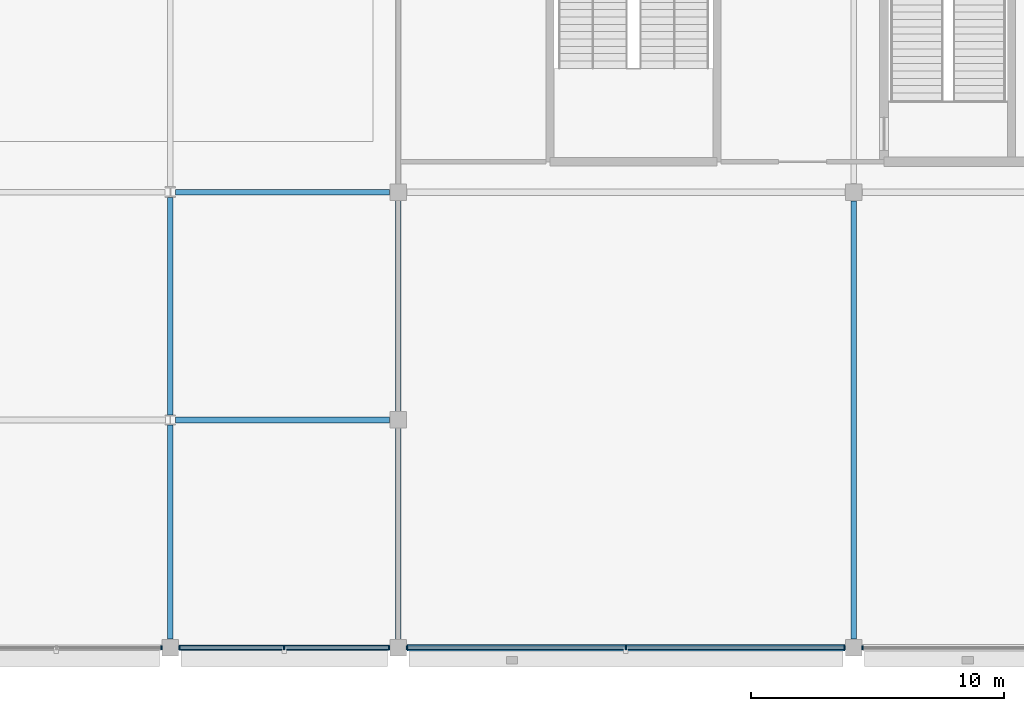
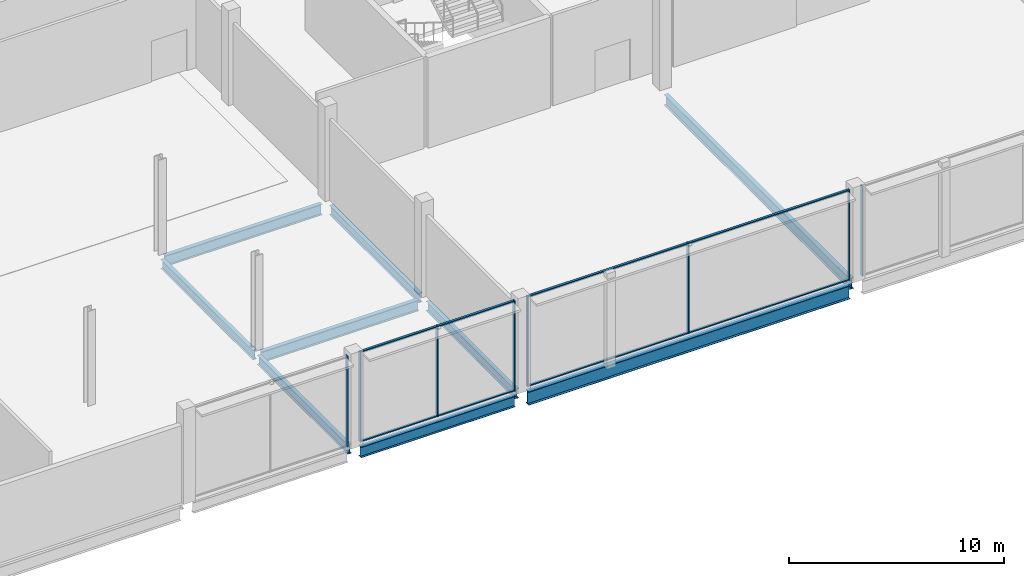
# One storey, part 15 of 113: 16 members, 9 beams, 4 elements without a shape of their own.
"""IFC4 building model written with IfcOpenShell, lengths in metres."""

from ifc_helpers import new_model, si_unit, direction, frame, origin, origin_2d, place, context, subcontext, project, spatial, rectangle, i_section, extrude, material, layer, layer_set, material_profile, profile_set, type_object, element, aggregate, save


model = new_model("IFC4")

# Units and contexts
model_context = context("Model", 3, precision=1e-05, world=origin(), true_north=direction((0.0, 1.0)))
body_context = subcontext(model_context, "Body", "Model", "MODEL_VIEW")
ifc_project = project(units=[si_unit("LENGTHUNIT", "METRE"), si_unit("AREAUNIT", "SQUARE_METRE"), si_unit("VOLUMEUNIT", "CUBIC_METRE"), si_unit("PLANEANGLEUNIT", "RADIAN"), si_unit("MASSUNIT", "GRAM", prefix="KILO")], contexts=[model_context])

# Site, building, storey
site_placement = place(None, origin())
site = spatial("IfcSite", under=ifc_project, at=site_placement, CompositionType="ELEMENT")
building_placement = place(site_placement, origin())
building = spatial("IfcBuilding", under=site, at=building_placement, Name="Kisiwana Market Hall", CompositionType="ELEMENT")
storey_placement = place(building_placement, frame((0.0, 0.0, 6.0)))
storey = spatial("IfcBuildingStorey", under=building, at=storey_placement, Name="L01", CompositionType="ELEMENT", Elevation=6.0)

# Beams
ifc_material_1 = material(Name="Steel S355", Category="steel")
ifc_material_profile_1 = material_profile(ifc_material_1, i_section(OverallWidth=0.209228515625, OverallDepth=0.533203125, WebThickness=0.010009765625, FlangeThickness=0.015625, at=origin_2d()), Name="UB 533x210x92")
ifc_profile_set_1 = profile_set([ifc_material_profile_1], Name="Steel S355")
beam_type_1 = type_object("IfcBeamType", Name="BM-GIRD-UB533", PredefinedType="BEAM", material=ifc_profile_set_1)
beam_1_placement = place(storey_placement, frame((36.0, 0.345947265625, -0.5166015625), z_axis=(0.0, 1.0, 0.0), x_axis=(-1.0, 0.0, 0.0)))
element("IfcBeam", 1, at=beam_1_placement, inside=storey, type_object=beam_type_1, Name="Primary girder B-0345", PredefinedType="BEAM", context=body_context, shape_type="SweptSolid", body=[
    extrude(i_section(OverallWidth=0.209228515625, OverallDepth=0.533203125, WebThickness=0.010009765625, FlangeThickness=0.015625, at=origin_2d()), origin(), (0.0, 0.0, 1.0), 8.454833984375),
])
beam_2_placement = place(storey_placement, frame((36.0, 9.19921875, -0.5166015625), z_axis=(0.0, 1.0, 0.0), x_axis=(-1.0, 0.0, 0.0)))
element("IfcBeam", 2, at=beam_2_placement, inside=storey, type_object=beam_type_1, Name="Primary girder B-0346", PredefinedType="BEAM", context=body_context, shape_type="SweptSolid", body=[
    extrude(i_section(OverallWidth=0.209228515625, OverallDepth=0.533203125, WebThickness=0.010009765625, FlangeThickness=0.015625, at=origin_2d()), origin(), (0.0, 0.0, 1.0), 8.58740234375),
])
for number, where, z_axis, x_axis, name in (
    (3, (45.0, 0.345947265625, -0.5166015625), (0.0, 1.0, 0.0), (-1.0, 0.0, 0.0), "Primary girder B-0353"),
    (4, (45.0, 9.345947265625, -0.5166015625), (0.0, 1.0, 0.0), (-1.0, 0.0, 0.0), "Primary girder B-0354"),
):
    element("IfcBeam", number, at=place(storey_placement, frame(where, z_axis=z_axis, x_axis=x_axis)), inside=storey, type_object=beam_type_1, Name=name, PredefinedType="BEAM", context=body_context, shape_type="SweptSolid", body=[
        extrude(i_section(OverallWidth=0.209228515625, OverallDepth=0.533203125, WebThickness=0.010009765625, FlangeThickness=0.015625, at=origin_2d()), origin(), (0.0, 0.0, 1.0), 8.30810546875),
    ])
ifc_material_2 = material(Name="Steel S355", Category="steel")
ifc_material_profile_2 = material_profile(ifc_material_2, i_section(OverallWidth=0.22900390625, OverallDepth=0.6123046875, WebThickness=0.011962890625, FlangeThickness=0.01953125, at=origin_2d()), Name="UB 610x229x125")
ifc_profile_set_2 = profile_set([ifc_material_profile_2], Name="Steel S355")
beam_type_2 = type_object("IfcBeamType", Name="BM-GIRD-UB610H", PredefinedType="BEAM", material=ifc_profile_set_2)
beam_3_placement = place(storey_placement, frame((36.345947265625, 0.0, -0.55615234375), z_axis=(1.0, 0.0, 0.0), x_axis=(0.0, 1.0, 0.0)))
element("IfcBeam", 5, at=beam_3_placement, inside=storey, type_object=beam_type_2, Name="Floor beam B-0452", PredefinedType="BEAM", context=body_context, shape_type="SweptSolid", body=[
    extrude(i_section(OverallWidth=0.22900390625, OverallDepth=0.6123046875, WebThickness=0.011962890625, FlangeThickness=0.01953125, at=origin_2d()), origin(), (0.0, 0.0, 1.0), 8.30810546875),
])
beam_4_placement = place(storey_placement, frame((36.197509765625, 9.0, -0.55615234375), z_axis=(1.0, 0.0, 0.0), x_axis=(0.0, 1.0, 0.0)))
element("IfcBeam", 6, at=beam_4_placement, inside=storey, type_object=beam_type_2, Name="Floor beam B-0466", PredefinedType="BEAM", context=body_context, shape_type="SweptSolid", body=[
    extrude(i_section(OverallWidth=0.22900390625, OverallDepth=0.6123046875, WebThickness=0.011962890625, FlangeThickness=0.01953125, at=origin_2d()), origin(), (0.0, 0.0, 1.0), 8.45654296875),
])
beam_5_placement = place(storey_placement, frame((36.201904296875, 18.0, -0.55615234375), z_axis=(1.0, 0.0, 0.0), x_axis=(0.0, 1.0, 0.0)))
element("IfcBeam", 7, at=beam_5_placement, inside=storey, type_object=beam_type_2, Name="Floor beam B-0474", PredefinedType="BEAM", context=body_context, shape_type="SweptSolid", body=[
    extrude(i_section(OverallWidth=0.22900390625, OverallDepth=0.6123046875, WebThickness=0.011962890625, FlangeThickness=0.01953125, at=origin_2d()), origin(), (0.0, 0.0, 1.0), 8.4521484375),
])
beam_6_placement = place(storey_placement, frame((63.0, 0.345947265625, -0.55615234375), z_axis=(0.0, 1.0, 0.0), x_axis=(-1.0, 0.0, 0.0)))
element("IfcBeam", 8, at=beam_6_placement, inside=storey, type_object=beam_type_2, Name="Primary girder B-0361", PredefinedType="BEAM", context=body_context, shape_type="SweptSolid", body=[
    extrude(i_section(OverallWidth=0.22900390625, OverallDepth=0.6123046875, WebThickness=0.011962890625, FlangeThickness=0.01953125, at=origin_2d()), origin(), (0.0, 0.0, 1.0), 17.30810546875),
])
ifc_material_3 = material(Name="Steel S355", Category="steel")
ifc_material_profile_3 = material_profile(ifc_material_3, i_section(OverallWidth=0.2666015625, OverallDepth=0.76220703125, WebThickness=0.014404296875, FlangeThickness=0.021484375, at=origin_2d()), Name="UB 762x267x173")
ifc_profile_set_3 = profile_set([ifc_material_profile_3], Name="Steel S355")
beam_type_3 = type_object("IfcBeamType", Name="BM-GIRD-UB762", PredefinedType="BEAM", material=ifc_profile_set_3)
beam_7_placement = place(storey_placement, frame((45.345947265625, 0.0, -0.631103515625), z_axis=(1.0, 0.0, 0.0), x_axis=(0.0, 1.0, 0.0)))
element("IfcBeam", 9, at=beam_7_placement, inside=storey, type_object=beam_type_3, Name="Floor beam B-0453", PredefinedType="BEAM", context=body_context, shape_type="SweptSolid", body=[
    extrude(i_section(OverallWidth=0.2666015625, OverallDepth=0.76220703125, WebThickness=0.014404296875, FlangeThickness=0.021484375, at=origin_2d()), origin(), (0.0, 0.0, 1.0), 17.30810546875),
])

# Curtain wall, member
ifc_material_4 = material(Name="Double-glazed solar-control low-E IGU", Category="glass")
ifc_layer = layer(ifc_material_4, 0.159912109375)
ifc_layer_set = layer_set([ifc_layer], Name="CW-FC-S-7600")
curtain_wall_type = type_object("IfcCurtainWallType", Name="CW-FC-S-7600", PredefinedType="USERDEFINED", material=ifc_layer_set)
curtain_wall_1_placement = place(storey_placement, origin())
curtain_wall_1 = element("IfcCurtainWall", 10, at=curtain_wall_1_placement, inside=storey, type_object=curtain_wall_type, Name="Unitised curtain wall CW-006 (L01)", ObjectType="UNITISED CURTAIN WALL", PredefinedType="USERDEFINED")
ifc_material_5 = material(Name="Aluminium alloy 6063-T6", Category="aluminium")
ifc_material_profile_4 = material_profile(ifc_material_5, rectangle(XDim=0.06005859375, YDim=0.159912109375, at=origin_2d()), Name="ALU MULLION 60x160")
ifc_profile_set_4 = profile_set([ifc_material_profile_4], Name="Aluminium alloy 6063-T6")
member_type_1 = type_object("IfcMemberType", Name="CW-MULL-60x160", PredefinedType="MULLION", material=ifc_profile_set_4)
member_1_placement = place(storey_placement, frame((35.64501953125, 0.0, 0.0), z_axis=(0.0, 0.0, 1.0), x_axis=(1.0, 0.0, 0.0)))
member_1 = element("IfcMember", 11, at=member_1_placement, type_object=member_type_1, Name="CW-006 mullion 3", PredefinedType="MULLION", context=body_context, shape_type="SweptSolid", body=[
    extrude(rectangle(XDim=0.06005859375, YDim=0.159912109375, at=origin_2d()), origin(), (0.0, 0.0, 1.0), 5.14990234375),
])
aggregate(curtain_wall_1, [member_1])

# Curtain wall, members
curtain_wall_2_placement = place(storey_placement, origin())
curtain_wall_2 = element("IfcCurtainWall", 12, at=curtain_wall_2_placement, inside=storey, type_object=curtain_wall_type, Name="Unitised curtain wall CW-007 (L01)", ObjectType="UNITISED CURTAIN WALL", PredefinedType="USERDEFINED")
member_2_placement = place(storey_placement, frame((36.35498046875, 0.0, 0.0), z_axis=(0.0, 0.0, 1.0), x_axis=(1.0, 0.0, 0.0)))
member_2 = element("IfcMember", 13, at=member_2_placement, type_object=member_type_1, Name="CW-007 mullion 1", PredefinedType="MULLION", context=body_context, shape_type="SweptSolid", body=[
    extrude(rectangle(XDim=0.06005859375, YDim=0.159912109375, at=origin_2d()), origin(), (0.0, 0.0, 1.0), 5.14990234375),
])
member_3_placement = place(storey_placement, frame((40.5, 0.0, 0.0), z_axis=(0.0, 0.0, 1.0), x_axis=(1.0, 0.0, 0.0)))
member_3 = element("IfcMember", 14, at=member_3_placement, type_object=member_type_1, Name="CW-007 mullion 2", PredefinedType="MULLION", context=body_context, shape_type="SweptSolid", body=[
    extrude(rectangle(XDim=0.06005859375, YDim=0.159912109375, at=origin_2d()), origin(), (0.0, 0.0, 1.0), 5.14990234375),
])
member_4_placement = place(storey_placement, frame((44.64501953125, 0.0, 0.0), z_axis=(0.0, 0.0, 1.0), x_axis=(1.0, 0.0, 0.0)))
member_4 = element("IfcMember", 15, at=member_4_placement, type_object=member_type_1, Name="CW-007 mullion 3", PredefinedType="MULLION", context=body_context, shape_type="SweptSolid", body=[
    extrude(rectangle(XDim=0.06005859375, YDim=0.159912109375, at=origin_2d()), origin(), (0.0, 0.0, 1.0), 5.14990234375),
])

curtain_wall_3_placement = place(storey_placement, origin())
curtain_wall_3 = element("IfcCurtainWall", 16, at=curtain_wall_3_placement, inside=storey, type_object=curtain_wall_type, Name="Unitised curtain wall CW-008 (L01)", ObjectType="UNITISED CURTAIN WALL", PredefinedType="USERDEFINED")
member_5_placement = place(storey_placement, frame((45.35498046875, 0.0, 0.0), z_axis=(0.0, 0.0, 1.0), x_axis=(1.0, 0.0, 0.0)))
member_5 = element("IfcMember", 17, at=member_5_placement, type_object=member_type_1, Name="CW-008 mullion 1", PredefinedType="MULLION", context=body_context, shape_type="SweptSolid", body=[
    extrude(rectangle(XDim=0.06005859375, YDim=0.159912109375, at=origin_2d()), origin(), (0.0, 0.0, 1.0), 5.14990234375),
])
member_6_placement = place(storey_placement, frame((54.0, 0.0, 0.0), z_axis=(0.0, 0.0, 1.0), x_axis=(1.0, 0.0, 0.0)))
member_6 = element("IfcMember", 18, at=member_6_placement, type_object=member_type_1, Name="CW-008 mullion 2", PredefinedType="MULLION", context=body_context, shape_type="SweptSolid", body=[
    extrude(rectangle(XDim=0.06005859375, YDim=0.159912109375, at=origin_2d()), origin(), (0.0, 0.0, 1.0), 5.14990234375),
])
member_7_placement = place(storey_placement, frame((62.64501953125, 0.0, 0.0), z_axis=(0.0, 0.0, 1.0), x_axis=(1.0, 0.0, 0.0)))
member_7 = element("IfcMember", 19, at=member_7_placement, type_object=member_type_1, Name="CW-008 mullion 3", PredefinedType="MULLION", context=body_context, shape_type="SweptSolid", body=[
    extrude(rectangle(XDim=0.06005859375, YDim=0.159912109375, at=origin_2d()), origin(), (0.0, 0.0, 1.0), 5.14990234375),
])

# Curtain wall, member
curtain_wall_4_placement = place(storey_placement, origin())
curtain_wall_4 = element("IfcCurtainWall", 20, at=curtain_wall_4_placement, inside=storey, type_object=curtain_wall_type, Name="Unitised curtain wall CW-009 (L01)", ObjectType="UNITISED CURTAIN WALL", PredefinedType="USERDEFINED")
member_8_placement = place(storey_placement, frame((63.35498046875, 0.0, 0.0), z_axis=(0.0, 0.0, 1.0), x_axis=(1.0, 0.0, 0.0)))
member_8 = element("IfcMember", 21, at=member_8_placement, type_object=member_type_1, Name="CW-009 mullion 1", PredefinedType="MULLION", context=body_context, shape_type="SweptSolid", body=[
    extrude(rectangle(XDim=0.06005859375, YDim=0.159912109375, at=origin_2d()), origin(), (0.0, 0.0, 1.0), 5.14990234375),
])
aggregate(curtain_wall_4, [member_8])

# Member
ifc_material_6 = material(Name="Aluminium alloy 6063-T6", Category="aluminium")
ifc_material_profile_5 = material_profile(ifc_material_6, rectangle(XDim=0.1201171875, YDim=0.06005859375, at=origin_2d()), Name="ALU TRANSOM 60x120")
ifc_profile_set_5 = profile_set([ifc_material_profile_5], Name="Aluminium alloy 6063-T6")
member_type_2 = type_object("IfcMemberType", Name="CW-TRAN-60x120", PredefinedType="USERDEFINED", material=ifc_profile_set_5)
member_9_placement = place(storey_placement, frame((36.385009765625, 0.0, 0.030029296875), z_axis=(1.0, 0.0, 0.0), x_axis=(0.0, 1.0, 0.0)))
member_9 = element("IfcMember", 22, at=member_9_placement, type_object=member_type_2, Name="CW-007 transom 1.1", ObjectType="TRANSOM", PredefinedType="USERDEFINED", context=body_context, shape_type="SweptSolid", body=[
    extrude(rectangle(XDim=0.1201171875, YDim=0.06005859375, at=origin_2d()), origin(), (0.0, 0.0, 1.0), 4.0849609375),
])

member_10_placement = place(storey_placement, frame((36.385009765625, 0.0, 5.1201171875), z_axis=(1.0, 0.0, 0.0), x_axis=(0.0, 1.0, 0.0)))
member_10 = element("IfcMember", 23, at=member_10_placement, type_object=member_type_2, Name="CW-007 transom 1.2", ObjectType="TRANSOM", PredefinedType="USERDEFINED", context=body_context, shape_type="SweptSolid", body=[
    extrude(rectangle(XDim=0.1201171875, YDim=0.06005859375, at=origin_2d()), origin(), (0.0, 0.0, 1.0), 4.0849609375),
])

member_11_placement = place(storey_placement, frame((40.530029296875, 0.0, 0.030029296875), z_axis=(1.0, 0.0, 0.0), x_axis=(0.0, 1.0, 0.0)))
member_11 = element("IfcMember", 24, at=member_11_placement, type_object=member_type_2, Name="CW-007 transom 2.1", ObjectType="TRANSOM", PredefinedType="USERDEFINED", context=body_context, shape_type="SweptSolid", body=[
    extrude(rectangle(XDim=0.1201171875, YDim=0.06005859375, at=origin_2d()), origin(), (0.0, 0.0, 1.0), 4.0849609375),
])

member_12_placement = place(storey_placement, frame((40.530029296875, 0.0, 5.1201171875), z_axis=(1.0, 0.0, 0.0), x_axis=(0.0, 1.0, 0.0)))
member_12 = element("IfcMember", 25, at=member_12_placement, type_object=member_type_2, Name="CW-007 transom 2.2", ObjectType="TRANSOM", PredefinedType="USERDEFINED", context=body_context, shape_type="SweptSolid", body=[
    extrude(rectangle(XDim=0.1201171875, YDim=0.06005859375, at=origin_2d()), origin(), (0.0, 0.0, 1.0), 4.0849609375),
])

aggregate(curtain_wall_2, [member_2, member_3, member_4, member_9, member_10, member_11, member_12])

member_13_placement = place(storey_placement, frame((45.385009765625, 0.0, 0.030029296875), z_axis=(1.0, 0.0, 0.0), x_axis=(0.0, 1.0, 0.0)))
member_13 = element("IfcMember", 26, at=member_13_placement, type_object=member_type_2, Name="CW-008 transom 1.1", ObjectType="TRANSOM", PredefinedType="USERDEFINED", context=body_context, shape_type="SweptSolid", body=[
    extrude(rectangle(XDim=0.1201171875, YDim=0.06005859375, at=origin_2d()), origin(), (0.0, 0.0, 1.0), 8.5849609375),
])

member_14_placement = place(storey_placement, frame((45.385009765625, 0.0, 5.1201171875), z_axis=(1.0, 0.0, 0.0), x_axis=(0.0, 1.0, 0.0)))
member_14 = element("IfcMember", 27, at=member_14_placement, type_object=member_type_2, Name="CW-008 transom 1.2", ObjectType="TRANSOM", PredefinedType="USERDEFINED", context=body_context, shape_type="SweptSolid", body=[
    extrude(rectangle(XDim=0.1201171875, YDim=0.06005859375, at=origin_2d()), origin(), (0.0, 0.0, 1.0), 8.5849609375),
])

member_15_placement = place(storey_placement, frame((54.030029296875, 0.0, 0.030029296875), z_axis=(1.0, 0.0, 0.0), x_axis=(0.0, 1.0, 0.0)))
member_15 = element("IfcMember", 28, at=member_15_placement, type_object=member_type_2, Name="CW-008 transom 2.1", ObjectType="TRANSOM", PredefinedType="USERDEFINED", context=body_context, shape_type="SweptSolid", body=[
    extrude(rectangle(XDim=0.1201171875, YDim=0.06005859375, at=origin_2d()), origin(), (0.0, 0.0, 1.0), 8.5849609375),
])

member_16_placement = place(storey_placement, frame((54.030029296875, 0.0, 5.1201171875), z_axis=(1.0, 0.0, 0.0), x_axis=(0.0, 1.0, 0.0)))
member_16 = element("IfcMember", 29, at=member_16_placement, type_object=member_type_2, Name="CW-008 transom 2.2", ObjectType="TRANSOM", PredefinedType="USERDEFINED", context=body_context, shape_type="SweptSolid", body=[
    extrude(rectangle(XDim=0.1201171875, YDim=0.06005859375, at=origin_2d()), origin(), (0.0, 0.0, 1.0), 8.5849609375),
])

aggregate(curtain_wall_3, [member_5, member_6, member_7, member_13, member_14, member_15, member_16])

save(model, "model.ifc")
